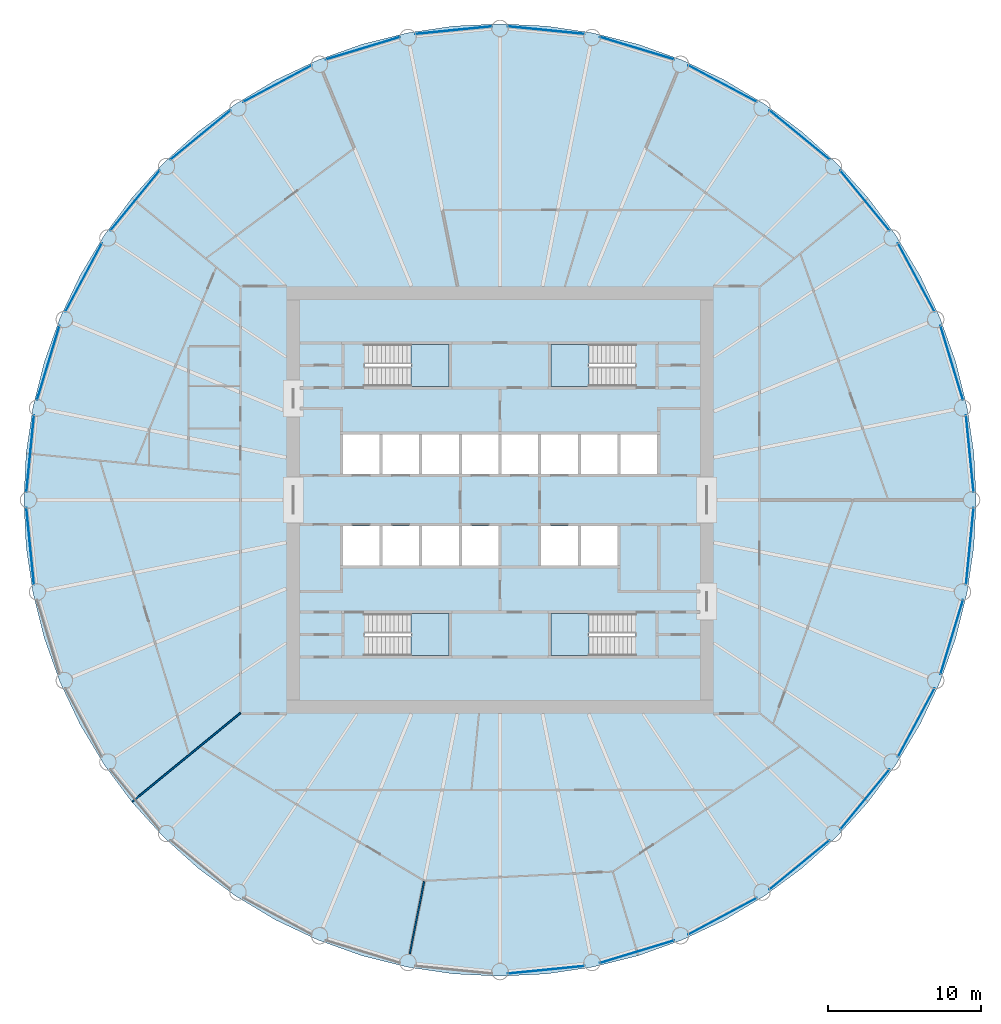
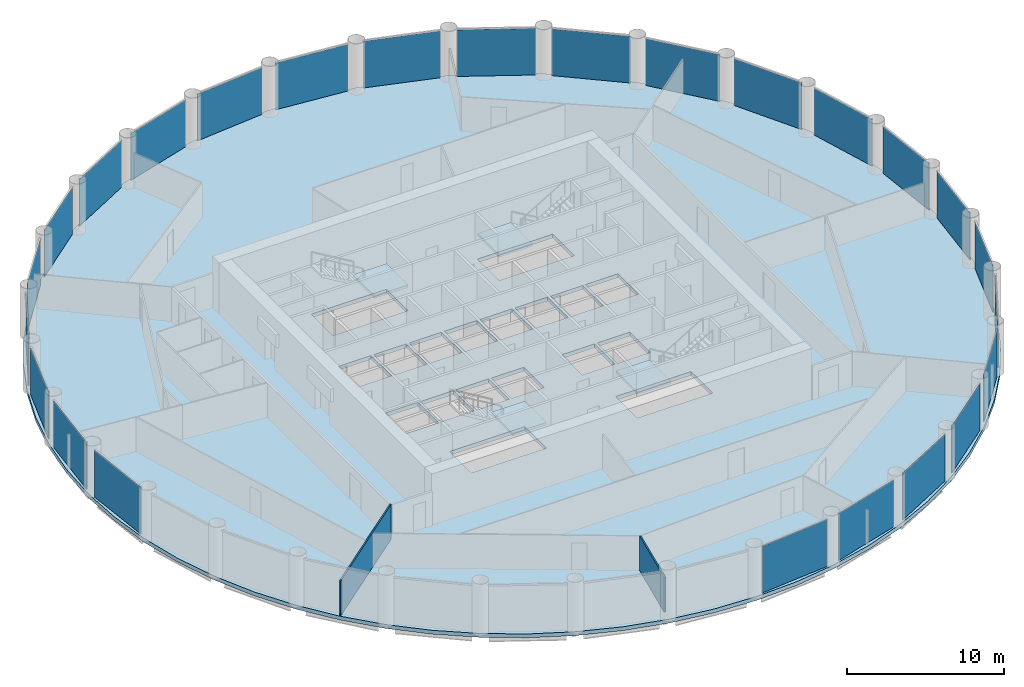
# One storey, part 3 of 9: 25 plates, 5 slabs, 2 walls, 29 elements without a shape of their own.
"""IFC4 building model written with IfcOpenShell, lengths in metres."""

from ifc_helpers import new_model, si_unit, direction, frame, frame_2d, origin, origin_2d, place, context, subcontext, project, spatial, polyline, rectangle, outline, extrude, material, layer, layer_set, type_object, element, aggregate, save


model = new_model("IFC4")

# Units and contexts
model_context = context("Model", 3, precision=1e-05, world=origin(), true_north=direction((0.0, 1.0)))
body_context = subcontext(model_context, "Body", "Model", "MODEL_VIEW")
ifc_project = project(units=[si_unit("LENGTHUNIT", "METRE"), si_unit("AREAUNIT", "SQUARE_METRE"), si_unit("VOLUMEUNIT", "CUBIC_METRE"), si_unit("PLANEANGLEUNIT", "RADIAN"), si_unit("MASSUNIT", "GRAM", prefix="KILO")], contexts=[model_context])

# Site, building, storey
site_placement = place(None, origin())
site = spatial("IfcSite", under=ifc_project, at=site_placement, CompositionType="ELEMENT")
building_placement = place(site_placement, origin())
building = spatial("IfcBuilding", under=site, at=building_placement, Name="Corvane Civic Tower", CompositionType="ELEMENT")
storey_placement = place(building_placement, frame((0.0, 0.0, 168.0)))
storey = spatial("IfcBuildingStorey", under=building, at=storey_placement, Name="L39", CompositionType="ELEMENT", Elevation=168.0)

# Slab
ifc_material_1 = material(Name="Concrete C40/50", Category="concrete")
ifc_layer_1 = layer(ifc_material_1, 0.300048828125)
ifc_layer_set_1 = layer_set([ifc_layer_1], Name="Concrete C40/50")
slab_type_1 = type_object("IfcSlabType", Name="FLOOR SLAB 300", PredefinedType="FLOOR", material=ifc_layer_set_1)
slab_1_placement = place(storey_placement, frame((0.0, 0.0, -0.300048828125)))
element("IfcSlab", 1, at=slab_1_placement, inside=storey, type_object=slab_type_1, Name="SLB-L39", PredefinedType="FLOOR", context=body_context, shape_type="SweptSolid", body=[
    extrude(outline(polyline([(0.0, 31.199951171875), (-3.05810546875, 31.0498046875), (-6.0869140625, 30.6005859375), (-9.056884765625, 29.8564453125), (-11.939697265625, 28.824951171875), (-14.70751953125, 27.515869140625), (-17.333740234375, 25.94189453125), (-19.79296875, 24.117919921875), (-22.061767578125, 22.061767578125), (-24.117919921875, 19.79296875), (-25.94189453125, 17.333740234375), (-27.515869140625, 14.70751953125), (-28.824951171875, 11.939697265625), (-29.8564453125, 9.056884765625), (-30.6005859375, 6.0869140625), (-31.0498046875, 3.05810546875), (-31.199951171875, 0.0), (-31.0498046875, -3.05810546875), (-30.6005859375, -6.0869140625), (-29.8564453125, -9.056884765625), (-28.824951171875, -11.939697265625), (-27.515869140625, -14.70751953125), (-25.94189453125, -17.333740234375), (-24.117919921875, -19.79296875), (-22.061767578125, -22.061767578125), (-19.79296875, -24.117919921875), (-17.333740234375, -25.94189453125), (-14.70751953125, -27.515869140625), (-11.939697265625, -28.824951171875), (-9.056884765625, -29.8564453125), (-6.0869140625, -30.6005859375), (-3.05810546875, -31.0498046875), (0.0, -31.199951171875), (3.05810546875, -31.0498046875), (6.0869140625, -30.6005859375), (9.056884765625, -29.8564453125), (11.939697265625, -28.824951171875), (14.70751953125, -27.515869140625), (17.333740234375, -25.94189453125), (19.79296875, -24.117919921875), (22.061767578125, -22.061767578125), (24.117919921875, -19.79296875), (25.94189453125, -17.333740234375), (27.515869140625, -14.70751953125), (28.824951171875, -11.939697265625), (29.8564453125, -9.056884765625), (30.6005859375, -6.0869140625), (31.0498046875, -3.05810546875), (31.199951171875, 0.0), (31.0498046875, 3.05810546875), (30.6005859375, 6.0869140625), (29.8564453125, 9.056884765625), (28.824951171875, 11.939697265625), (27.515869140625, 14.70751953125), (25.94189453125, 17.333740234375), (24.117919921875, 19.79296875), (22.061767578125, 22.061767578125), (19.79296875, 24.117919921875), (17.333740234375, 25.94189453125), (14.70751953125, 27.515869140625), (11.939697265625, 28.824951171875), (9.056884765625, 29.8564453125), (6.0869140625, 30.6005859375), (3.05810546875, 31.0498046875), (0.0, 31.199951171875)]), holes=[polyline([(-7.89990234375, 1.699951171875), (-10.300048828125, 1.699951171875), (-10.300048828125, 4.300048828125), (-7.89990234375, 4.300048828125), (-7.89990234375, 1.699951171875)]), polyline([(-5.300048828125, 1.699951171875), (-7.699951171875, 1.699951171875), (-7.699951171875, 4.300048828125), (-5.300048828125, 4.300048828125), (-5.300048828125, 1.699951171875)]), polyline([(-2.699951171875, 1.699951171875), (-5.10009765625, 1.699951171875), (-5.10009765625, 4.300048828125), (-2.699951171875, 4.300048828125), (-2.699951171875, 1.699951171875)]), polyline([(-2.5, 4.300048828125), (-0.10009765625, 4.300048828125), (-0.10009765625, 1.699951171875), (-2.5, 1.699951171875), (-2.5, 4.300048828125)]), polyline([(2.5, 1.699951171875), (0.10009765625, 1.699951171875), (0.10009765625, 4.300048828125), (2.5, 4.300048828125), (2.5, 1.699951171875)]), polyline([(5.10009765625, 1.699951171875), (2.699951171875, 1.699951171875), (2.699951171875, 4.300048828125), (5.10009765625, 4.300048828125), (5.10009765625, 1.699951171875)]), polyline([(5.300048828125, 4.300048828125), (7.699951171875, 4.300048828125), (7.699951171875, 1.699951171875), (5.300048828125, 1.699951171875), (5.300048828125, 4.300048828125)]), polyline([(7.89990234375, 4.300048828125), (10.300048828125, 4.300048828125), (10.300048828125, 1.699951171875), (7.89990234375, 1.699951171875), (7.89990234375, 4.300048828125)]), polyline([(-10.300048828125, -1.699951171875), (-7.89990234375, -1.699951171875), (-7.89990234375, -4.300048828125), (-10.300048828125, -4.300048828125), (-10.300048828125, -1.699951171875)]), polyline([(-7.699951171875, -1.699951171875), (-5.300048828125, -1.699951171875), (-5.300048828125, -4.300048828125), (-7.699951171875, -4.300048828125), (-7.699951171875, -1.699951171875)]), polyline([(-5.10009765625, -1.699951171875), (-2.699951171875, -1.699951171875), (-2.699951171875, -4.300048828125), (-5.10009765625, -4.300048828125), (-5.10009765625, -1.699951171875)]), polyline([(-2.5, -1.699951171875), (-0.10009765625, -1.699951171875), (-0.10009765625, -4.300048828125), (-2.5, -4.300048828125), (-2.5, -1.699951171875)]), polyline([(2.699951171875, -1.699951171875), (5.10009765625, -1.699951171875), (5.10009765625, -4.300048828125), (2.699951171875, -4.300048828125), (2.699951171875, -1.699951171875)]), polyline([(5.300048828125, -1.699951171875), (7.699951171875, -1.699951171875), (7.699951171875, -4.300048828125), (5.300048828125, -4.300048828125), (5.300048828125, -1.699951171875)]), polyline([(8.889892578125, 10.199951171875), (8.889892578125, 7.449951171875), (3.35009765625, 7.449951171875), (3.35009765625, 10.199951171875), (8.889892578125, 10.199951171875)]), polyline([(-8.889892578125, 7.449951171875), (-8.889892578125, 10.199951171875), (-3.35009765625, 10.199951171875), (-3.35009765625, 7.449951171875), (-8.889892578125, 7.449951171875)]), polyline([(8.889892578125, -7.449951171875), (8.889892578125, -10.199951171875), (3.35009765625, -10.199951171875), (3.35009765625, -7.449951171875), (8.889892578125, -7.449951171875)]), polyline([(-8.889892578125, -10.199951171875), (-8.889892578125, -7.449951171875), (-3.35009765625, -7.449951171875), (-3.35009765625, -10.199951171875), (-8.889892578125, -10.199951171875)])]), origin(), (0.0, 0.0, 1.0), 0.300048828125),
])

# Stair, slab
ifc_material_2 = material(Name="Concrete C40/50", Category="concrete")
stair_type = type_object("IfcStairType", Name="ST-STAIR-HALFTURN", PredefinedType="HALF_TURN_STAIR", material=ifc_material_2)
stair_1_placement = place(storey_placement, origin())
stair_1 = element("IfcStair", 2, at=stair_1_placement, inside=storey, type_object=stair_type, Name="L39 Exit stair ST1", PredefinedType="HALF_TURN_STAIR")
ifc_material_3 = material(Name="Concrete C40/50", Category="concrete")
ifc_layer_2 = layer(ifc_material_3, 0.199951171875)
ifc_layer_set_2 = layer_set([ifc_layer_2], Name="Concrete C40/50")
slab_type_2 = type_object("IfcSlabType", Name="ST-LANDING-RC", PredefinedType="LANDING", material=ifc_layer_set_2)
slab_2_placement = place(storey_placement, frame((0.0, 0.0, 1.800048828125)))
slab_2 = element("IfcSlab", 3, at=slab_2_placement, type_object=slab_type_2, Name="ST1 landing 1", PredefinedType="LANDING", context=body_context, shape_type="SweptSolid", body=[
    extrude(outline(polyline([(5.820068359375, 10.199951171875), (3.35009765625, 10.199951171875), (3.35009765625, 7.449951171875), (5.820068359375, 7.449951171875), (5.820068359375, 10.199951171875)])), origin(), (0.0, 0.0, 1.0), 0.199951171875),
])
aggregate(stair_1, [slab_2])

stair_2_placement = place(storey_placement, origin())
stair_2 = element("IfcStair", 4, at=stair_2_placement, inside=storey, type_object=stair_type, Name="L39 Exit stair ST2", PredefinedType="HALF_TURN_STAIR")
slab_3_placement = place(storey_placement, frame((0.0, 0.0, 1.800048828125)))
slab_3 = element("IfcSlab", 5, at=slab_3_placement, type_object=slab_type_2, Name="ST2 landing 1", PredefinedType="LANDING", context=body_context, shape_type="SweptSolid", body=[
    extrude(outline(polyline([(5.820068359375, -7.449951171875), (3.35009765625, -7.449951171875), (3.35009765625, -10.199951171875), (5.820068359375, -10.199951171875), (5.820068359375, -7.449951171875)])), origin(), (0.0, 0.0, 1.0), 0.199951171875),
])
aggregate(stair_2, [slab_3])

stair_3_placement = place(storey_placement, origin())
stair_3 = element("IfcStair", 6, at=stair_3_placement, inside=storey, type_object=stair_type, Name="L39 Exit stair ST3", PredefinedType="HALF_TURN_STAIR")
slab_4_placement = place(storey_placement, frame((0.0, 0.0, 1.800048828125)))
slab_4 = element("IfcSlab", 7, at=slab_4_placement, type_object=slab_type_2, Name="ST3 landing 1", PredefinedType="LANDING", context=body_context, shape_type="SweptSolid", body=[
    extrude(outline(polyline([(-5.820068359375, -10.199951171875), (-3.35009765625, -10.199951171875), (-3.35009765625, -7.449951171875), (-5.820068359375, -7.449951171875), (-5.820068359375, -10.199951171875)])), origin(), (0.0, 0.0, 1.0), 0.199951171875),
])
aggregate(stair_3, [slab_4])

stair_4_placement = place(storey_placement, origin())
stair_4 = element("IfcStair", 8, at=stair_4_placement, inside=storey, type_object=stair_type, Name="L39 Exit stair ST4", PredefinedType="HALF_TURN_STAIR")
slab_5_placement = place(storey_placement, frame((0.0, 0.0, 1.800048828125)))
slab_5 = element("IfcSlab", 9, at=slab_5_placement, type_object=slab_type_2, Name="ST4 landing 1", PredefinedType="LANDING", context=body_context, shape_type="SweptSolid", body=[
    extrude(outline(polyline([(-5.820068359375, 7.449951171875), (-3.35009765625, 7.449951171875), (-3.35009765625, 10.199951171875), (-5.820068359375, 10.199951171875), (-5.820068359375, 7.449951171875)])), origin(), (0.0, 0.0, 1.0), 0.199951171875),
])
aggregate(stair_4, [slab_5])

# Curtain wall, plate
ifc_material_4 = material(Name="Anodised aluminium bronze", Category="aluminium")
curtain_wall_type = type_object("IfcCurtainWallType", Name="TOWER CW-T2 STICK CURTAIN WALL", PredefinedType="NOTDEFINED", material=ifc_material_4)
curtain_wall_1_placement = place(storey_placement, origin())
curtain_wall_1 = element("IfcCurtainWall", 10, at=curtain_wall_1_placement, inside=storey, type_object=curtain_wall_type, Name="Curtain wall CW-T2 L39 bay 01", PredefinedType="NOTDEFINED")
ifc_material_5 = material(Name="Tinted glass", Category="glass")
ifc_layer_3 = layer(ifc_material_5, 0.031982421875)
ifc_layer_set_3 = layer_set([ifc_layer_3], Name="Tinted glass")
plate_type = type_object("IfcPlateType", Name="TOWER CW-T2 PANEL IGU32", PredefinedType="CURTAIN_PANEL", material=ifc_layer_set_3)
plate_1_placement = place(storey_placement, frame((3.03173828125, 30.781494140625, 0.0), z_axis=(0.0, 0.0, 1.0), x_axis=(0.995185244531, -0.098011882274, 0.0)))
plate_1 = element("IfcPlate", 11, at=plate_1_placement, type_object=plate_type, Name="Glass panel CW-T2 L39 01.1", PredefinedType="CURTAIN_PANEL", context=body_context, shape_type="SweptSolid", body=[
    extrude(rectangle(XDim=5.07763671875, YDim=0.031982421875, at=origin_2d()), origin(), (0.0, 0.0, 1.0), 3.6298828125),
])
aggregate(curtain_wall_1, [plate_1])

curtain_wall_2_placement = place(storey_placement, origin())
curtain_wall_2 = element("IfcCurtainWall", 12, at=curtain_wall_2_placement, inside=storey, type_object=curtain_wall_type, Name="Curtain wall CW-T2 L39 bay 02", PredefinedType="NOTDEFINED")
plate_2_placement = place(storey_placement, frame((8.978515625, 29.5986328125, 0.0), z_axis=(0.0, 0.0, 1.0), x_axis=(0.956931677007, -0.290313219714, 0.0)))
plate_2 = element("IfcPlate", 13, at=plate_2_placement, type_object=plate_type, Name="Glass panel CW-T2 L39 02.1", PredefinedType="CURTAIN_PANEL", context=body_context, shape_type="SweptSolid", body=[
    extrude(rectangle(XDim=5.077392578125, YDim=0.031982421875, at=origin_2d()), origin(), (0.0, 0.0, 1.0), 3.6298828125),
])
aggregate(curtain_wall_2, [plate_2])

curtain_wall_3_placement = place(storey_placement, origin())
curtain_wall_3 = element("IfcCurtainWall", 14, at=curtain_wall_3_placement, inside=storey, type_object=curtain_wall_type, Name="Curtain wall CW-T2 L39 bay 03", PredefinedType="NOTDEFINED")
plate_3_placement = place(storey_placement, frame((14.58056640625, 27.278076171875, 0.0), z_axis=(0.0, 0.0, 1.0), x_axis=(0.881922190434, -0.471395004238, 0.0)))
plate_3 = element("IfcPlate", 15, at=plate_3_placement, type_object=plate_type, Name="Glass panel CW-T2 L39 03.1", PredefinedType="CURTAIN_PANEL", context=body_context, shape_type="SweptSolid", body=[
    extrude(rectangle(XDim=5.077392578125, YDim=0.031982421875, at=origin_2d()), origin(), (0.0, 0.0, 1.0), 3.6298828125),
])
aggregate(curtain_wall_3, [plate_3])

curtain_wall_4_placement = place(storey_placement, origin())
curtain_wall_4 = element("IfcCurtainWall", 16, at=curtain_wall_4_placement, inside=storey, type_object=curtain_wall_type, Name="Curtain wall CW-T2 L39 bay 04", PredefinedType="NOTDEFINED")
plate_4_placement = place(storey_placement, frame((19.6220703125, 23.909423828125, 0.0), z_axis=(0.0, 0.0, 1.0), x_axis=(0.773004844196, -0.634400118891, 0.0)))
plate_4 = element("IfcPlate", 17, at=plate_4_placement, type_object=plate_type, Name="Glass panel CW-T2 L39 04.1", PredefinedType="CURTAIN_PANEL", context=body_context, shape_type="SweptSolid", body=[
    extrude(rectangle(XDim=5.0771484375, YDim=0.031982421875, at=origin_2d()), origin(), (0.0, 0.0, 1.0), 3.6298828125),
])
aggregate(curtain_wall_4, [plate_4])

curtain_wall_5_placement = place(storey_placement, origin())
curtain_wall_5 = element("IfcCurtainWall", 18, at=curtain_wall_5_placement, inside=storey, type_object=curtain_wall_type, Name="Curtain wall CW-T2 L39 bay 05", PredefinedType="NOTDEFINED")
plate_5_placement = place(storey_placement, frame((23.909423828125, 19.6220703125, 0.0), z_axis=(0.0, 0.0, 1.0), x_axis=(0.634400118891, -0.773004844196, 0.0)))
plate_5 = element("IfcPlate", 19, at=plate_5_placement, type_object=plate_type, Name="Glass panel CW-T2 L39 05.1", PredefinedType="CURTAIN_PANEL", context=body_context, shape_type="SweptSolid", body=[
    extrude(rectangle(XDim=5.0771484375, YDim=0.031982421875, at=origin_2d()), origin(), (0.0, 0.0, 1.0), 3.6298828125),
])
aggregate(curtain_wall_5, [plate_5])

curtain_wall_6_placement = place(storey_placement, origin())
curtain_wall_6 = element("IfcCurtainWall", 20, at=curtain_wall_6_placement, inside=storey, type_object=curtain_wall_type, Name="Curtain wall CW-T2 L39 bay 06", PredefinedType="NOTDEFINED")
plate_6_placement = place(storey_placement, frame((27.278076171875, 14.58056640625, 0.0), z_axis=(0.0, 0.0, 1.0), x_axis=(0.471395004238, -0.881922190434, 0.0)))
plate_6 = element("IfcPlate", 21, at=plate_6_placement, type_object=plate_type, Name="Glass panel CW-T2 L39 06.1", PredefinedType="CURTAIN_PANEL", context=body_context, shape_type="SweptSolid", body=[
    extrude(rectangle(XDim=5.077392578125, YDim=0.031982421875, at=origin_2d()), origin(), (0.0, 0.0, 1.0), 3.6298828125),
])
aggregate(curtain_wall_6, [plate_6])

curtain_wall_7_placement = place(storey_placement, origin())
curtain_wall_7 = element("IfcCurtainWall", 22, at=curtain_wall_7_placement, inside=storey, type_object=curtain_wall_type, Name="Curtain wall CW-T2 L39 bay 07", PredefinedType="NOTDEFINED")
plate_7_placement = place(storey_placement, frame((29.5986328125, 8.978515625, 0.0), z_axis=(0.0, 0.0, 1.0), x_axis=(0.290313219714, -0.956931677007, 0.0)))
plate_7 = element("IfcPlate", 23, at=plate_7_placement, type_object=plate_type, Name="Glass panel CW-T2 L39 07.1", PredefinedType="CURTAIN_PANEL", context=body_context, shape_type="SweptSolid", body=[
    extrude(rectangle(XDim=5.077392578125, YDim=0.031982421875, at=origin_2d()), origin(), (0.0, 0.0, 1.0), 3.6298828125),
])
aggregate(curtain_wall_7, [plate_7])

curtain_wall_8_placement = place(storey_placement, origin())
curtain_wall_8 = element("IfcCurtainWall", 24, at=curtain_wall_8_placement, inside=storey, type_object=curtain_wall_type, Name="Curtain wall CW-T2 L39 bay 08", PredefinedType="NOTDEFINED")
plate_8_placement = place(storey_placement, frame((30.781494140625, 3.03173828125, 0.0), z_axis=(0.0, 0.0, 1.0), x_axis=(0.098011882274, -0.995185244531, 0.0)))
plate_8 = element("IfcPlate", 25, at=plate_8_placement, type_object=plate_type, Name="Glass panel CW-T2 L39 08.1", PredefinedType="CURTAIN_PANEL", context=body_context, shape_type="SweptSolid", body=[
    extrude(rectangle(XDim=5.07763671875, YDim=0.031982421875, at=origin_2d()), origin(), (0.0, 0.0, 1.0), 3.6298828125),
])
aggregate(curtain_wall_8, [plate_8])

curtain_wall_9_placement = place(storey_placement, origin())
curtain_wall_9 = element("IfcCurtainWall", 26, at=curtain_wall_9_placement, inside=storey, type_object=curtain_wall_type, Name="Curtain wall CW-T2 L39 bay 09", PredefinedType="NOTDEFINED")
plate_9_placement = place(storey_placement, frame((30.781494140625, -3.03173828125, 0.0), z_axis=(0.0, 0.0, 1.0), x_axis=(-0.098011882274, -0.995185244531, 0.0)))
plate_9 = element("IfcPlate", 27, at=plate_9_placement, type_object=plate_type, Name="Glass panel CW-T2 L39 09.1", PredefinedType="CURTAIN_PANEL", context=body_context, shape_type="SweptSolid", body=[
    extrude(rectangle(XDim=5.07763671875, YDim=0.031982421875, at=origin_2d()), origin(), (0.0, 0.0, 1.0), 3.6298828125),
])
aggregate(curtain_wall_9, [plate_9])

curtain_wall_10_placement = place(storey_placement, origin())
curtain_wall_10 = element("IfcCurtainWall", 28, at=curtain_wall_10_placement, inside=storey, type_object=curtain_wall_type, Name="Curtain wall CW-T2 L39 bay 10", PredefinedType="NOTDEFINED")
plate_10_placement = place(storey_placement, frame((29.5986328125, -8.978515625, 0.0), z_axis=(0.0, 0.0, 1.0), x_axis=(-0.290313219714, -0.956931677007, 0.0)))
plate_10 = element("IfcPlate", 29, at=plate_10_placement, type_object=plate_type, Name="Glass panel CW-T2 L39 10.1", PredefinedType="CURTAIN_PANEL", context=body_context, shape_type="SweptSolid", body=[
    extrude(rectangle(XDim=5.077392578125, YDim=0.031982421875, at=origin_2d()), origin(), (0.0, 0.0, 1.0), 3.6298828125),
])
aggregate(curtain_wall_10, [plate_10])

curtain_wall_11_placement = place(storey_placement, origin())
curtain_wall_11 = element("IfcCurtainWall", 30, at=curtain_wall_11_placement, inside=storey, type_object=curtain_wall_type, Name="Curtain wall CW-T2 L39 bay 11", PredefinedType="NOTDEFINED")
plate_11_placement = place(storey_placement, frame((27.278076171875, -14.58056640625, 0.0), z_axis=(0.0, 0.0, 1.0), x_axis=(-0.471395004238, -0.881922190434, 0.0)))
plate_11 = element("IfcPlate", 31, at=plate_11_placement, type_object=plate_type, Name="Glass panel CW-T2 L39 11.1", PredefinedType="CURTAIN_PANEL", context=body_context, shape_type="SweptSolid", body=[
    extrude(rectangle(XDim=5.077392578125, YDim=0.031982421875, at=origin_2d()), origin(), (0.0, 0.0, 1.0), 3.6298828125),
])
aggregate(curtain_wall_11, [plate_11])

curtain_wall_12_placement = place(storey_placement, origin())
curtain_wall_12 = element("IfcCurtainWall", 32, at=curtain_wall_12_placement, inside=storey, type_object=curtain_wall_type, Name="Curtain wall CW-T2 L39 bay 12", PredefinedType="NOTDEFINED")
plate_12_placement = place(storey_placement, frame((23.909423828125, -19.6220703125, 0.0), z_axis=(0.0, 0.0, 1.0), x_axis=(-0.634400118891, -0.773004844196, 0.0)))
plate_12 = element("IfcPlate", 33, at=plate_12_placement, type_object=plate_type, Name="Glass panel CW-T2 L39 12.1", PredefinedType="CURTAIN_PANEL", context=body_context, shape_type="SweptSolid", body=[
    extrude(rectangle(XDim=5.0771484375, YDim=0.031982421875, at=origin_2d()), origin(), (0.0, 0.0, 1.0), 3.6298828125),
])
aggregate(curtain_wall_12, [plate_12])

curtain_wall_13_placement = place(storey_placement, origin())
curtain_wall_13 = element("IfcCurtainWall", 34, at=curtain_wall_13_placement, inside=storey, type_object=curtain_wall_type, Name="Curtain wall CW-T2 L39 bay 13", PredefinedType="NOTDEFINED")
plate_13_placement = place(storey_placement, frame((19.6220703125, -23.909423828125, 0.0), z_axis=(0.0, 0.0, 1.0), x_axis=(-0.773004844196, -0.634400118891, 0.0)))
plate_13 = element("IfcPlate", 35, at=plate_13_placement, type_object=plate_type, Name="Glass panel CW-T2 L39 13.1", PredefinedType="CURTAIN_PANEL", context=body_context, shape_type="SweptSolid", body=[
    extrude(rectangle(XDim=5.0771484375, YDim=0.031982421875, at=origin_2d()), origin(), (0.0, 0.0, 1.0), 3.6298828125),
])
aggregate(curtain_wall_13, [plate_13])

curtain_wall_14_placement = place(storey_placement, origin())
curtain_wall_14 = element("IfcCurtainWall", 36, at=curtain_wall_14_placement, inside=storey, type_object=curtain_wall_type, Name="Curtain wall CW-T2 L39 bay 14", PredefinedType="NOTDEFINED")
plate_14_placement = place(storey_placement, frame((14.58056640625, -27.278076171875, 0.0), z_axis=(0.0, 0.0, 1.0), x_axis=(-0.881922190434, -0.471395004238, 0.0)))
plate_14 = element("IfcPlate", 37, at=plate_14_placement, type_object=plate_type, Name="Glass panel CW-T2 L39 14.1", PredefinedType="CURTAIN_PANEL", context=body_context, shape_type="SweptSolid", body=[
    extrude(rectangle(XDim=5.077392578125, YDim=0.031982421875, at=origin_2d()), origin(), (0.0, 0.0, 1.0), 3.6298828125),
])
aggregate(curtain_wall_14, [plate_14])

curtain_wall_15_placement = place(storey_placement, origin())
curtain_wall_15 = element("IfcCurtainWall", 38, at=curtain_wall_15_placement, inside=storey, type_object=curtain_wall_type, Name="Curtain wall CW-T2 L39 bay 15", PredefinedType="NOTDEFINED")
plate_15_placement = place(storey_placement, frame((8.978515625, -29.5986328125, 0.0), z_axis=(0.0, 0.0, 1.0), x_axis=(-0.956931677007, -0.290313219714, 0.0)))
plate_15 = element("IfcPlate", 39, at=plate_15_placement, type_object=plate_type, Name="Glass panel CW-T2 L39 15.1", PredefinedType="CURTAIN_PANEL", context=body_context, shape_type="SweptSolid", body=[
    extrude(rectangle(XDim=5.077392578125, YDim=0.031982421875, at=origin_2d()), origin(), (0.0, 0.0, 1.0), 3.6298828125),
])
aggregate(curtain_wall_15, [plate_15])

curtain_wall_16_placement = place(storey_placement, origin())
curtain_wall_16 = element("IfcCurtainWall", 40, at=curtain_wall_16_placement, inside=storey, type_object=curtain_wall_type, Name="Curtain wall CW-T2 L39 bay 16", PredefinedType="NOTDEFINED")
plate_16_placement = place(storey_placement, frame((3.03173828125, -30.781494140625, 0.0), z_axis=(0.0, 0.0, 1.0), x_axis=(-0.995185244531, -0.098011882274, 0.0)))
plate_16 = element("IfcPlate", 41, at=plate_16_placement, type_object=plate_type, Name="Glass panel CW-T2 L39 16.1", PredefinedType="CURTAIN_PANEL", context=body_context, shape_type="SweptSolid", body=[
    extrude(rectangle(XDim=5.07763671875, YDim=0.031982421875, at=origin_2d()), origin(), (0.0, 0.0, 1.0), 3.6298828125),
])
aggregate(curtain_wall_16, [plate_16])

curtain_wall_17_placement = place(storey_placement, origin())
curtain_wall_17 = element("IfcCurtainWall", 42, at=curtain_wall_17_placement, inside=storey, type_object=curtain_wall_type, Name="Curtain wall CW-T2 L39 bay 24", PredefinedType="NOTDEFINED")
plate_17_placement = place(storey_placement, frame((-30.781494140625, -3.03173828125, 0.0), z_axis=(0.0, 0.0, 1.0), x_axis=(-0.098011882274, 0.995185244531, 0.0)))
plate_17 = element("IfcPlate", 43, at=plate_17_placement, type_object=plate_type, Name="Glass panel CW-T2 L39 24.1", PredefinedType="CURTAIN_PANEL", context=body_context, shape_type="SweptSolid", body=[
    extrude(rectangle(XDim=5.07763671875, YDim=0.031982421875, at=origin_2d()), origin(), (0.0, 0.0, 1.0), 3.6298828125),
])
aggregate(curtain_wall_17, [plate_17])

curtain_wall_18_placement = place(storey_placement, origin())
curtain_wall_18 = element("IfcCurtainWall", 44, at=curtain_wall_18_placement, inside=storey, type_object=curtain_wall_type, Name="Curtain wall CW-T2 L39 bay 25", PredefinedType="NOTDEFINED")
plate_18_placement = place(storey_placement, frame((-30.781494140625, 3.03173828125, 0.0), z_axis=(0.0, 0.0, 1.0), x_axis=(0.098011882274, 0.995185244531, 0.0)))
plate_18 = element("IfcPlate", 45, at=plate_18_placement, type_object=plate_type, Name="Glass panel CW-T2 L39 25.1", PredefinedType="CURTAIN_PANEL", context=body_context, shape_type="SweptSolid", body=[
    extrude(rectangle(XDim=5.07763671875, YDim=0.031982421875, at=origin_2d()), origin(), (0.0, 0.0, 1.0), 3.6298828125),
])
aggregate(curtain_wall_18, [plate_18])

curtain_wall_19_placement = place(storey_placement, origin())
curtain_wall_19 = element("IfcCurtainWall", 46, at=curtain_wall_19_placement, inside=storey, type_object=curtain_wall_type, Name="Curtain wall CW-T2 L39 bay 26", PredefinedType="NOTDEFINED")
plate_19_placement = place(storey_placement, frame((-29.5986328125, 8.978515625, 0.0), z_axis=(0.0, 0.0, 1.0), x_axis=(0.290313219714, 0.956931677007, 0.0)))
plate_19 = element("IfcPlate", 47, at=plate_19_placement, type_object=plate_type, Name="Glass panel CW-T2 L39 26.1", PredefinedType="CURTAIN_PANEL", context=body_context, shape_type="SweptSolid", body=[
    extrude(rectangle(XDim=5.077392578125, YDim=0.031982421875, at=origin_2d()), origin(), (0.0, 0.0, 1.0), 3.6298828125),
])
aggregate(curtain_wall_19, [plate_19])

curtain_wall_20_placement = place(storey_placement, origin())
curtain_wall_20 = element("IfcCurtainWall", 48, at=curtain_wall_20_placement, inside=storey, type_object=curtain_wall_type, Name="Curtain wall CW-T2 L39 bay 27", PredefinedType="NOTDEFINED")
plate_20_placement = place(storey_placement, frame((-27.278076171875, 14.58056640625, 0.0), z_axis=(0.0, 0.0, 1.0), x_axis=(0.471395004238, 0.881922190434, 0.0)))
plate_20 = element("IfcPlate", 49, at=plate_20_placement, type_object=plate_type, Name="Glass panel CW-T2 L39 27.1", PredefinedType="CURTAIN_PANEL", context=body_context, shape_type="SweptSolid", body=[
    extrude(rectangle(XDim=5.077392578125, YDim=0.031982421875, at=origin_2d()), origin(), (0.0, 0.0, 1.0), 3.6298828125),
])
aggregate(curtain_wall_20, [plate_20])

curtain_wall_21_placement = place(storey_placement, origin())
curtain_wall_21 = element("IfcCurtainWall", 50, at=curtain_wall_21_placement, inside=storey, type_object=curtain_wall_type, Name="Curtain wall CW-T2 L39 bay 28", PredefinedType="NOTDEFINED")
plate_21_placement = place(storey_placement, frame((-23.909423828125, 19.6220703125, 0.0), z_axis=(0.0, 0.0, 1.0), x_axis=(0.634400118891, 0.773004844196, 0.0)))
plate_21 = element("IfcPlate", 51, at=plate_21_placement, type_object=plate_type, Name="Glass panel CW-T2 L39 28.1", PredefinedType="CURTAIN_PANEL", context=body_context, shape_type="SweptSolid", body=[
    extrude(rectangle(XDim=5.0771484375, YDim=0.031982421875, at=origin_2d()), origin(), (0.0, 0.0, 1.0), 3.6298828125),
])
aggregate(curtain_wall_21, [plate_21])

curtain_wall_22_placement = place(storey_placement, origin())
curtain_wall_22 = element("IfcCurtainWall", 52, at=curtain_wall_22_placement, inside=storey, type_object=curtain_wall_type, Name="Curtain wall CW-T2 L39 bay 29", PredefinedType="NOTDEFINED")
plate_22_placement = place(storey_placement, frame((-19.6220703125, 23.909423828125, 0.0), z_axis=(0.0, 0.0, 1.0), x_axis=(0.773004844196, 0.634400118891, 0.0)))
plate_22 = element("IfcPlate", 53, at=plate_22_placement, type_object=plate_type, Name="Glass panel CW-T2 L39 29.1", PredefinedType="CURTAIN_PANEL", context=body_context, shape_type="SweptSolid", body=[
    extrude(rectangle(XDim=5.0771484375, YDim=0.031982421875, at=origin_2d()), origin(), (0.0, 0.0, 1.0), 3.6298828125),
])
aggregate(curtain_wall_22, [plate_22])

curtain_wall_23_placement = place(storey_placement, origin())
curtain_wall_23 = element("IfcCurtainWall", 54, at=curtain_wall_23_placement, inside=storey, type_object=curtain_wall_type, Name="Curtain wall CW-T2 L39 bay 30", PredefinedType="NOTDEFINED")
plate_23_placement = place(storey_placement, frame((-14.58056640625, 27.278076171875, 0.0), z_axis=(0.0, 0.0, 1.0), x_axis=(0.881922190434, 0.471395004238, 0.0)))
plate_23 = element("IfcPlate", 55, at=plate_23_placement, type_object=plate_type, Name="Glass panel CW-T2 L39 30.1", PredefinedType="CURTAIN_PANEL", context=body_context, shape_type="SweptSolid", body=[
    extrude(rectangle(XDim=5.077392578125, YDim=0.031982421875, at=origin_2d()), origin(), (0.0, 0.0, 1.0), 3.6298828125),
])
aggregate(curtain_wall_23, [plate_23])

curtain_wall_24_placement = place(storey_placement, origin())
curtain_wall_24 = element("IfcCurtainWall", 56, at=curtain_wall_24_placement, inside=storey, type_object=curtain_wall_type, Name="Curtain wall CW-T2 L39 bay 31", PredefinedType="NOTDEFINED")
plate_24_placement = place(storey_placement, frame((-8.978515625, 29.5986328125, 0.0), z_axis=(0.0, 0.0, 1.0), x_axis=(0.956931677007, 0.290313219714, 0.0)))
plate_24 = element("IfcPlate", 57, at=plate_24_placement, type_object=plate_type, Name="Glass panel CW-T2 L39 31.1", PredefinedType="CURTAIN_PANEL", context=body_context, shape_type="SweptSolid", body=[
    extrude(rectangle(XDim=5.077392578125, YDim=0.031982421875, at=origin_2d()), origin(), (0.0, 0.0, 1.0), 3.6298828125),
])
aggregate(curtain_wall_24, [plate_24])

curtain_wall_25_placement = place(storey_placement, origin())
curtain_wall_25 = element("IfcCurtainWall", 58, at=curtain_wall_25_placement, inside=storey, type_object=curtain_wall_type, Name="Curtain wall CW-T2 L39 bay 32", PredefinedType="NOTDEFINED")
plate_25_placement = place(storey_placement, frame((-3.03173828125, 30.781494140625, 0.0), z_axis=(0.0, 0.0, 1.0), x_axis=(0.995185244531, 0.098011882274, 0.0)))
plate_25 = element("IfcPlate", 59, at=plate_25_placement, type_object=plate_type, Name="Glass panel CW-T2 L39 32.1", PredefinedType="CURTAIN_PANEL", context=body_context, shape_type="SweptSolid", body=[
    extrude(rectangle(XDim=5.07763671875, YDim=0.031982421875, at=origin_2d()), origin(), (0.0, 0.0, 1.0), 3.6298828125),
])
aggregate(curtain_wall_25, [plate_25])

# Walls
ifc_material_6 = material(Name="Plasterboard")
ifc_layer_4 = layer(ifc_material_6, 0.10009765625)
ifc_layer_set_4 = layer_set([ifc_layer_4], Name="Plasterboard")
wall_type = type_object("IfcWallType", Name="Partition 100 plasterboard on studs", PredefinedType="PARTITIONING", material=ifc_layer_set_4)
wall_1_placement = place(storey_placement, frame((-5.9189453125, -29.7568359375, 0.0), z_axis=(0.0, 0.0, 1.0), x_axis=(0.195062476568, 0.980790818796, 0.0)))
element("IfcWall", 60, at=wall_1_placement, inside=storey, type_object=wall_type, Name="Partition L39.002", PredefinedType="PARTITIONING", context=body_context, shape_type="SweptSolid", body=[
    extrude(rectangle(XDim=4.857421875, YDim=0.10009765625, at=frame_2d((2.4287109375, 0.0))), origin(), (0.0, 0.0, 1.0), 2.699951171875),
])
wall_2_placement = place(storey_placement, frame((-24.079345703125, -19.761474609375, 0.0), z_axis=(0.0, 0.0, 1.0), x_axis=(0.773006154143, 0.634398522742, 0.0)))
element("IfcWall", 61, at=wall_2_placement, inside=storey, type_object=wall_type, Name="Partition L39.006", PredefinedType="PARTITIONING", context=body_context, shape_type="SweptSolid", body=[
    extrude(rectangle(XDim=9.134521484375, YDim=0.10009765625, at=frame_2d((4.5673828125, 0.0))), origin(), (0.0, 0.0, 1.0), 2.699951171875),
])

save(model, "model.ifc")
